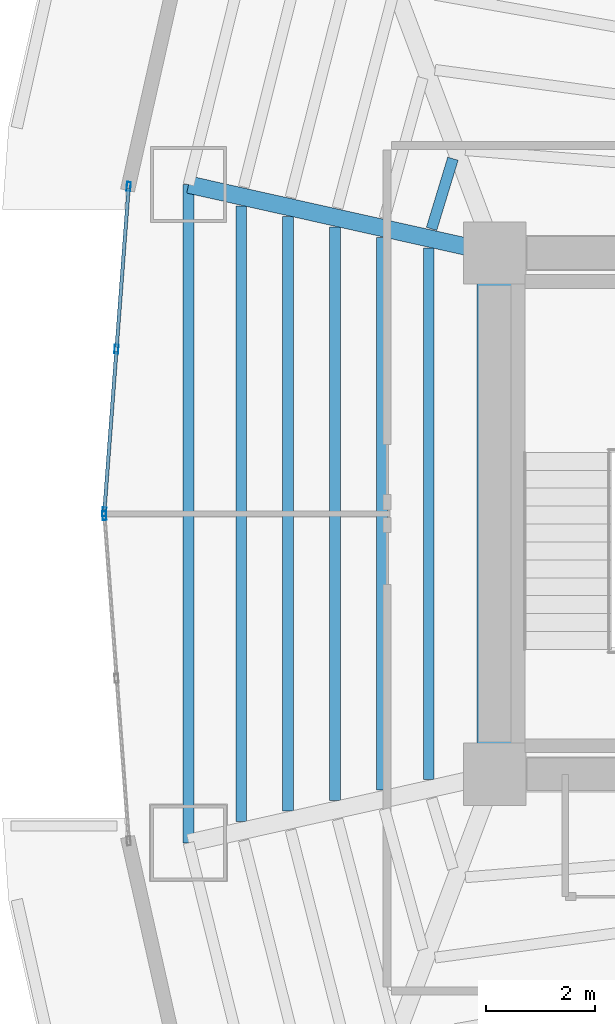
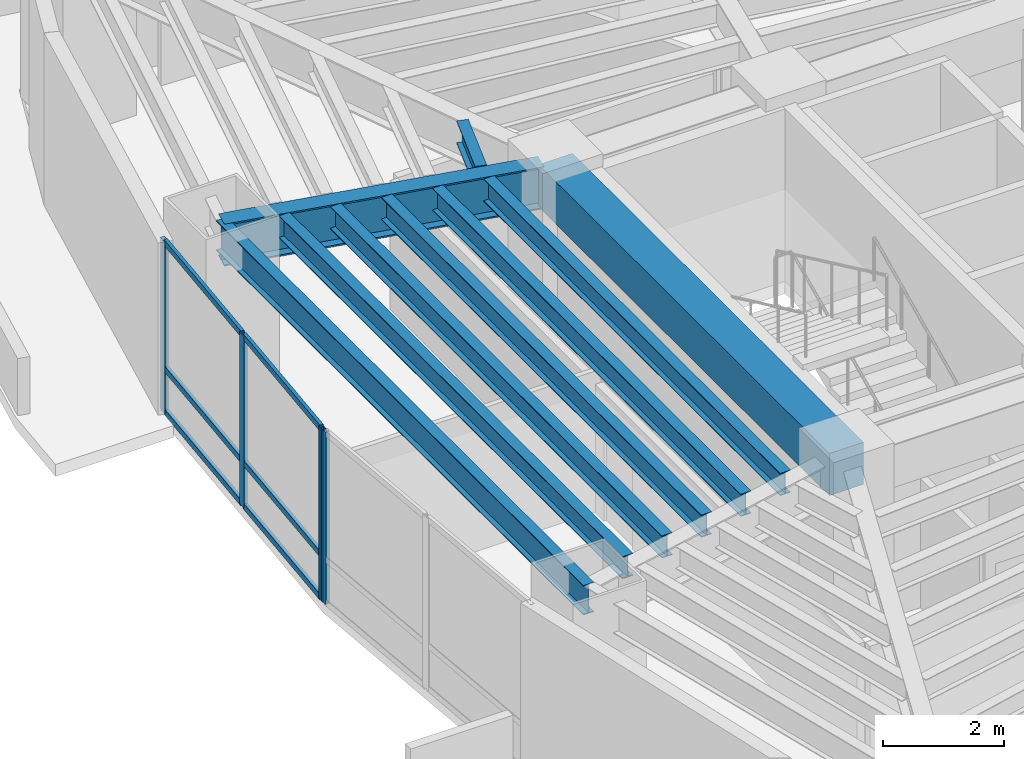
# One storey, part 7 of 17: 10 members, 9 beams, 2 elements without a shape of their own.
"""IFC4 building model written with IfcOpenShell, lengths in metres."""

from ifc_helpers import new_model, si_unit, direction, frame, origin, origin_2d, place, context, subcontext, project, spatial, rectangle, hollow_rectangle, i_section, extrude, material, layer, layer_set, material_profile, profile_set, type_object, element, aggregate, save


model = new_model("IFC4")

# Units and contexts
model_context = context("Model", 3, precision=1e-05, world=origin(), true_north=direction((0.0, 1.0)))
body_context = subcontext(model_context, "Body", "Model", "MODEL_VIEW")
ifc_project = project(units=[si_unit("LENGTHUNIT", "METRE"), si_unit("AREAUNIT", "SQUARE_METRE"), si_unit("VOLUMEUNIT", "CUBIC_METRE"), si_unit("PLANEANGLEUNIT", "RADIAN"), si_unit("MASSUNIT", "GRAM", prefix="KILO")], contexts=[model_context])

# Site, building, storey
site_placement = place(None, origin())
site = spatial("IfcSite", under=ifc_project, at=site_placement, CompositionType="ELEMENT")
building_placement = place(site_placement, origin())
building = spatial("IfcBuilding", under=site, at=building_placement, Name="Menara Vayukalpa", CompositionType="ELEMENT")
storey_placement = place(building_placement, frame((0.0, 0.0, 27.60009765625)))
storey = spatial("IfcBuildingStorey", under=building, at=storey_placement, Name="L05", CompositionType="ELEMENT", Elevation=27.60009765625)

# Beams
ifc_material_1 = material(Name="Concrete C60/75", Category="concrete")
ifc_material_profile_1 = material_profile(ifc_material_1, rectangle(XDim=0.64990234375, YDim=0.85009765625, at=origin_2d()), Name="RC 650x850")
ifc_profile_set_1 = profile_set([ifc_material_profile_1], Name="Concrete C60/75")
beam_type_1 = type_object("IfcBeamType", Name="BM-CB1", PredefinedType="BEAM", material=ifc_profile_set_1)
beam_1_placement = place(storey_placement, frame((17.800048828125, 17.199951171875, 3.044921875), z_axis=(0.0, 1.0, 0.0), x_axis=(-1.0, 0.0, 0.0)))
element("IfcBeam", 1, at=beam_1_placement, inside=storey, type_object=beam_type_1, Name="L05 Core Tie Beam CBR7", PredefinedType="BEAM", context=body_context, shape_type="SweptSolid", body=[
    extrude(rectangle(XDim=0.64990234375, YDim=0.85009765625, at=origin_2d()), origin(), (0.0, 0.0, 1.0), 9.60009765625),
])
ifc_material_2 = material(Name="Steel S355", Category="steel")
ifc_material_profile_2 = material_profile(ifc_material_2, i_section(OverallWidth=0.320068359375, OverallDepth=0.85009765625, WebThickness=0.01611328125, FlangeThickness=0.030029296875, at=origin_2d()), Name="WF 850x320x16x30")
ifc_profile_set_2 = profile_set([ifc_material_profile_2], Name="Steel S355")
beam_type_2 = type_object("IfcBeamType", Name="BM-PG2", PredefinedType="BEAM", material=ifc_profile_set_2)
beam_2_placement = place(storey_placement, frame((17.555908203125, 26.8544921875, 3.044921875), z_axis=(-0.975920137818, 0.218128138031, 0.0), x_axis=(-0.218128138031, -0.975920137818, 0.0)))
element("IfcBeam", 2, at=beam_2_placement, inside=storey, type_object=beam_type_2, Name="L05 Primary Radial Girder RG05", PredefinedType="BEAM", context=body_context, shape_type="SweptSolid", body=[
    extrude(i_section(OverallWidth=0.320068359375, OverallDepth=0.85009765625, WebThickness=0.01611328125, FlangeThickness=0.030029296875, at=origin_2d()), origin(), (0.0, 0.0, 1.0), 5.524658203125),
])
ifc_material_3 = material(Name="Steel S355", Category="steel")
ifc_material_profile_3 = material_profile(ifc_material_3, i_section(OverallWidth=0.199951171875, OverallDepth=0.449951171875, WebThickness=0.009033203125, FlangeThickness=0.013916015625, at=origin_2d()), Name="WF 450x200x9x14")
ifc_profile_set_3 = profile_set([ifc_material_profile_3], Name="Steel S355")
beam_type_3 = type_object("IfcBeamType", Name="BM-SJ1", PredefinedType="JOIST", material=ifc_profile_set_3)
beam_3_placement = place(storey_placement, frame((17.03076171875, 28.535888671875, 3.244873046875), z_axis=(-0.291010568606, -0.956719838281, 0.0), x_axis=(0.956719838281, -0.291010568606, 0.0)))
element("IfcBeam", 3, at=beam_3_placement, inside=storey, type_object=beam_type_3, Name="L05 Secondary Floor Joist SJ04-1", PredefinedType="JOIST", context=body_context, shape_type="SweptSolid", body=[
    extrude(i_section(OverallWidth=0.199951171875, OverallDepth=0.449951171875, WebThickness=0.009033203125, FlangeThickness=0.013916015625, at=origin_2d()), origin(), (0.0, 0.0, 1.0), 1.3505859375),
])
beam_4_placement = place(storey_placement, frame((16.58544921875, 26.891357421875, 3.244873046875), z_axis=(0.0, -1.0, 0.0), x_axis=(1.0, 0.0, 0.0)))
element("IfcBeam", 4, at=beam_4_placement, inside=storey, type_object=beam_type_3, Name="L05 Secondary Floor Joist SJ05-1", PredefinedType="JOIST", context=body_context, shape_type="SweptSolid", body=[
    extrude(i_section(OverallWidth=0.199951171875, OverallDepth=0.449951171875, WebThickness=0.009033203125, FlangeThickness=0.013916015625, at=origin_2d()), origin(), (0.0, 0.0, 1.0), 9.78271484375),
])
beam_5_placement = place(storey_placement, frame((15.722900390625, 27.084228515625, 3.244873046875), z_axis=(0.0, -1.0, 0.0), x_axis=(1.0, 0.0, 0.0)))
element("IfcBeam", 5, at=beam_5_placement, inside=storey, type_object=beam_type_3, Name="L05 Secondary Floor Joist SJ05-2", PredefinedType="JOIST", context=body_context, shape_type="SweptSolid", body=[
    extrude(i_section(OverallWidth=0.199951171875, OverallDepth=0.449951171875, WebThickness=0.009033203125, FlangeThickness=0.013916015625, at=origin_2d()), origin(), (0.0, 0.0, 1.0), 10.16845703125),
])
beam_6_placement = place(storey_placement, frame((14.860107421875, 27.277099609375, 3.244873046875), z_axis=(0.0, -1.0, 0.0), x_axis=(1.0, 0.0, 0.0)))
element("IfcBeam", 6, at=beam_6_placement, inside=storey, type_object=beam_type_3, Name="L05 Secondary Floor Joist SJ05-3", PredefinedType="JOIST", context=body_context, shape_type="SweptSolid", body=[
    extrude(i_section(OverallWidth=0.199951171875, OverallDepth=0.449951171875, WebThickness=0.009033203125, FlangeThickness=0.013916015625, at=origin_2d()), origin(), (0.0, 0.0, 1.0), 10.55419921875),
])
beam_7_placement = place(storey_placement, frame((13.997314453125, 27.469970703125, 3.244873046875), z_axis=(0.0, -1.0, 0.0), x_axis=(1.0, 0.0, 0.0)))
element("IfcBeam", 7, at=beam_7_placement, inside=storey, type_object=beam_type_3, Name="L05 Secondary Floor Joist SJ05-4", PredefinedType="JOIST", context=body_context, shape_type="SweptSolid", body=[
    extrude(i_section(OverallWidth=0.199951171875, OverallDepth=0.449951171875, WebThickness=0.009033203125, FlangeThickness=0.013916015625, at=origin_2d()), origin(), (0.0, 0.0, 1.0), 10.93994140625),
])
beam_8_placement = place(storey_placement, frame((13.134765625, 27.66259765625, 3.244873046875), z_axis=(0.0, -1.0, 0.0), x_axis=(1.0, 0.0, 0.0)))
element("IfcBeam", 8, at=beam_8_placement, inside=storey, type_object=beam_type_3, Name="L05 Secondary Floor Joist SJ05-5", PredefinedType="JOIST", context=body_context, shape_type="SweptSolid", body=[
    extrude(i_section(OverallWidth=0.199951171875, OverallDepth=0.449951171875, WebThickness=0.009033203125, FlangeThickness=0.013916015625, at=origin_2d()), origin(), (0.0, 0.0, 1.0), 11.3251953125),
])
ifc_material_4 = material(Name="Steel S355", Category="steel")
ifc_material_profile_4 = material_profile(ifc_material_4, i_section(OverallWidth=0.199951171875, OverallDepth=0.60009765625, WebThickness=0.010986328125, FlangeThickness=0.01708984375, at=origin_2d()), Name="WF 600x200x11x17")
ifc_profile_set_4 = profile_set([ifc_material_profile_4], Name="Steel S355")
beam_type_4 = type_object("IfcBeamType", Name="BM-SP1", PredefinedType="SPANDREL", material=ifc_profile_set_4)
beam_9_placement = place(storey_placement, frame((12.164306640625, 28.0595703125, 3.169921875), z_axis=(0.0, -1.0, 0.0), x_axis=(1.0, 0.0, 0.0)))
element("IfcBeam", 9, at=beam_9_placement, inside=storey, type_object=beam_type_4, Name="L05 Perimeter Spandrel Beam SP05", PredefinedType="SPANDREL", context=body_context, shape_type="SweptSolid", body=[
    extrude(i_section(OverallWidth=0.199951171875, OverallDepth=0.60009765625, WebThickness=0.010986328125, FlangeThickness=0.01708984375, at=origin_2d()), origin(), (0.0, 0.0, 1.0), 12.119140625),
])

# Curtain wall, members
ifc_material_5 = material(Name="Anodised Terracotta Aluminium Alloy 6063-T6", Category="masonry")
ifc_layer = layer(ifc_material_5, 0.1650390625)
ifc_layer_set = layer_set([ifc_layer], Name="Anodised Terracotta Aluminium Alloy 6063-T6")
curtain_wall_type = type_object("IfcCurtainWallType", Name="CW-CW2", PredefinedType="USERDEFINED", material=ifc_layer_set)
curtain_wall_1_placement = place(storey_placement, origin())
curtain_wall_1 = element("IfcCurtainWall", 10, at=curtain_wall_1_placement, inside=storey, type_object=curtain_wall_type, Name="L05 Low Rise Terracotta Ribbon Curtain Wall CW2 10", ObjectType="UNITISED", PredefinedType="USERDEFINED")
ifc_material_6 = material(Name="Anodised Terracotta Aluminium Alloy 6063-T6", Category="masonry")
ifc_material_profile_5 = material_profile(ifc_material_6, hollow_rectangle(XDim=0.070068359375, YDim=0.1650390625, WallThickness=0.00390625, at=origin_2d()), Name="ALU 70x165x4")
ifc_profile_set_5 = profile_set([ifc_material_profile_5], Name="Anodised Terracotta Aluminium Alloy 6063-T6")
member_type_1 = type_object("IfcMemberType", Name="CWM-CW2", PredefinedType="MULLION", material=ifc_profile_set_5)
member_1_placement = place(storey_placement, frame((11.0615234375, 28.024658203125, 0.0), z_axis=(0.0, 0.0, 1.0), x_axis=(0.997198941676, -0.074794857576, 0.0)))
member_1 = element("IfcMember", 11, at=member_1_placement, type_object=member_type_1, Name="CW2 mullion 1", PredefinedType="MULLION", context=body_context, shape_type="SweptSolid", body=[
    extrude(hollow_rectangle(XDim=0.070068359375, YDim=0.1650390625, WallThickness=0.00390625, at=origin_2d()), origin(), (0.0, 0.0, 1.0), 3.469970703125),
])
member_2_placement = place(storey_placement, frame((10.8369140625, 25.02978515625, 0.0), z_axis=(0.0, 0.0, 1.0), x_axis=(0.997198941676, -0.074794857576, 0.0)))
member_2 = element("IfcMember", 12, at=member_2_placement, type_object=member_type_1, Name="CW2 mullion 2", PredefinedType="MULLION", context=body_context, shape_type="SweptSolid", body=[
    extrude(hollow_rectangle(XDim=0.070068359375, YDim=0.1650390625, WallThickness=0.00390625, at=origin_2d()), origin(), (0.0, 0.0, 1.0), 3.469970703125),
])
member_3_placement = place(storey_placement, frame((10.6123046875, 22.034912109375, 0.0), z_axis=(0.0, 0.0, 1.0), x_axis=(0.997198941676, -0.074794857576, 0.0)))
member_3 = element("IfcMember", 13, at=member_3_placement, type_object=member_type_1, Name="CW2 mullion 3", PredefinedType="MULLION", context=body_context, shape_type="SweptSolid", body=[
    extrude(hollow_rectangle(XDim=0.070068359375, YDim=0.1650390625, WallThickness=0.00390625, at=origin_2d()), origin(), (0.0, 0.0, 1.0), 3.469970703125),
])

# Curtain wall, member
curtain_wall_2_placement = place(storey_placement, origin())
curtain_wall_2 = element("IfcCurtainWall", 14, at=curtain_wall_2_placement, inside=storey, type_object=curtain_wall_type, Name="L05 Low Rise Terracotta Ribbon Curtain Wall CW2 11", ObjectType="UNITISED", PredefinedType="USERDEFINED")
member_4_placement = place(storey_placement, frame((10.6123046875, 21.965087890625, 0.0), z_axis=(0.0, 0.0, 1.0), x_axis=(0.997198941676, 0.074794857576, 0.0)))
member_4 = element("IfcMember", 15, at=member_4_placement, type_object=member_type_1, Name="CW2 mullion 1", PredefinedType="MULLION", context=body_context, shape_type="SweptSolid", body=[
    extrude(hollow_rectangle(XDim=0.070068359375, YDim=0.1650390625, WallThickness=0.00390625, at=origin_2d()), origin(), (0.0, 0.0, 1.0), 3.469970703125),
])
aggregate(curtain_wall_2, [member_4])

# Member
ifc_material_7 = material(Name="Anodised Terracotta Aluminium Alloy 6063-T6", Category="masonry")
ifc_material_profile_6 = material_profile(ifc_material_7, hollow_rectangle(XDim=0.06494140625, YDim=0.1201171875, WallThickness=0.00341796875, at=origin_2d()), Name="ALU 65x120x3.5")
ifc_profile_set_6 = profile_set([ifc_material_profile_6], Name="Anodised Terracotta Aluminium Alloy 6063-T6")
member_type_2 = type_object("IfcMemberType", Name="CWT-CW2", PredefinedType="USERDEFINED", material=ifc_profile_set_6)
member_5_placement = place(storey_placement, frame((11.05908203125, 27.98974609375, 0.032470703125), z_axis=(-0.074825123723, -0.997196671103, 0.0), x_axis=(0.997196671103, -0.074825123723, 0.0)))
member_5 = element("IfcMember", 16, at=member_5_placement, type_object=member_type_2, Name="CW2 transom 1.1", ObjectType="TRANSOM", PredefinedType="USERDEFINED", context=body_context, shape_type="SweptSolid", body=[
    extrude(hollow_rectangle(XDim=0.06494140625, YDim=0.1201171875, WallThickness=0.00341796875, at=origin_2d()), origin(), (0.0, 0.0, 1.0), 2.933349609375),
])

member_6_placement = place(storey_placement, frame((11.05908203125, 27.98974609375, 0.89990234375), z_axis=(-0.074825123723, -0.997196671103, 0.0), x_axis=(0.997196671103, -0.074825123723, 0.0)))
member_6 = element("IfcMember", 17, at=member_6_placement, type_object=member_type_2, Name="CW2 transom 1.2", ObjectType="TRANSOM", PredefinedType="USERDEFINED", context=body_context, shape_type="SweptSolid", body=[
    extrude(hollow_rectangle(XDim=0.06494140625, YDim=0.1201171875, WallThickness=0.00341796875, at=origin_2d()), origin(), (0.0, 0.0, 1.0), 2.933349609375),
])

member_7_placement = place(storey_placement, frame((11.05908203125, 27.98974609375, 3.4375), z_axis=(-0.074825123723, -0.997196671103, 0.0), x_axis=(0.997196671103, -0.074825123723, 0.0)))
member_7 = element("IfcMember", 18, at=member_7_placement, type_object=member_type_2, Name="CW2 transom 1.3", ObjectType="TRANSOM", PredefinedType="USERDEFINED", context=body_context, shape_type="SweptSolid", body=[
    extrude(hollow_rectangle(XDim=0.06494140625, YDim=0.1201171875, WallThickness=0.00341796875, at=origin_2d()), origin(), (0.0, 0.0, 1.0), 2.933349609375),
])

member_8_placement = place(storey_placement, frame((10.834228515625, 24.994873046875, 0.032470703125), z_axis=(-0.074742357441, -0.997202878057, 0.0), x_axis=(0.997202878057, -0.074742357441, 0.0)))
member_8 = element("IfcMember", 19, at=member_8_placement, type_object=member_type_2, Name="CW2 transom 2.1", ObjectType="TRANSOM", PredefinedType="USERDEFINED", context=body_context, shape_type="SweptSolid", body=[
    extrude(hollow_rectangle(XDim=0.06494140625, YDim=0.1201171875, WallThickness=0.00341796875, at=origin_2d()), origin(), (0.0, 0.0, 1.0), 2.933349609375),
])

member_9_placement = place(storey_placement, frame((10.834228515625, 24.994873046875, 0.89990234375), z_axis=(-0.074742357441, -0.997202878057, 0.0), x_axis=(0.997202878057, -0.074742357441, 0.0)))
member_9 = element("IfcMember", 20, at=member_9_placement, type_object=member_type_2, Name="CW2 transom 2.2", ObjectType="TRANSOM", PredefinedType="USERDEFINED", context=body_context, shape_type="SweptSolid", body=[
    extrude(hollow_rectangle(XDim=0.06494140625, YDim=0.1201171875, WallThickness=0.00341796875, at=origin_2d()), origin(), (0.0, 0.0, 1.0), 2.933349609375),
])

member_10_placement = place(storey_placement, frame((10.834228515625, 24.994873046875, 3.4375), z_axis=(-0.074742357441, -0.997202878057, 0.0), x_axis=(0.997202878057, -0.074742357441, 0.0)))
member_10 = element("IfcMember", 21, at=member_10_placement, type_object=member_type_2, Name="CW2 transom 2.3", ObjectType="TRANSOM", PredefinedType="USERDEFINED", context=body_context, shape_type="SweptSolid", body=[
    extrude(hollow_rectangle(XDim=0.06494140625, YDim=0.1201171875, WallThickness=0.00341796875, at=origin_2d()), origin(), (0.0, 0.0, 1.0), 2.933349609375),
])

aggregate(curtain_wall_1, [member_1, member_2, member_3, member_5, member_6, member_7, member_8, member_9, member_10])

save(model, "model.ifc")
